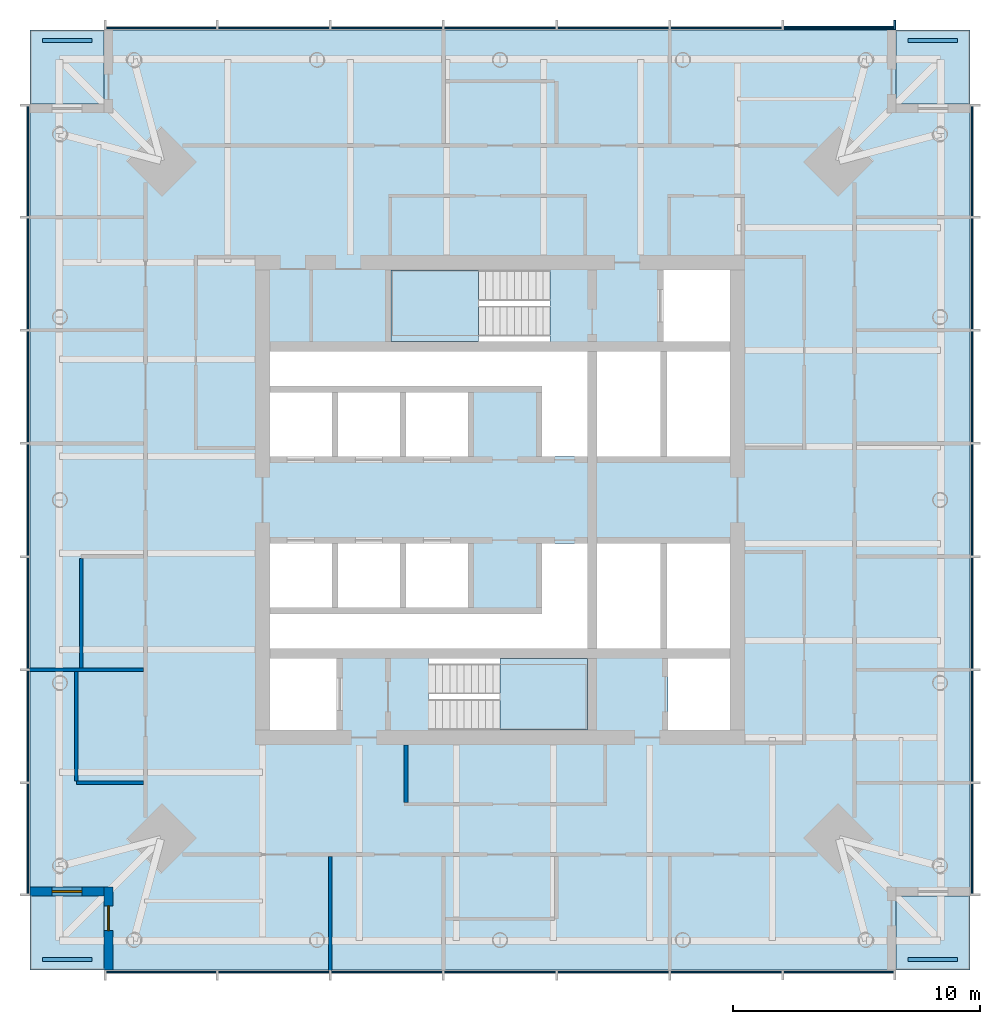
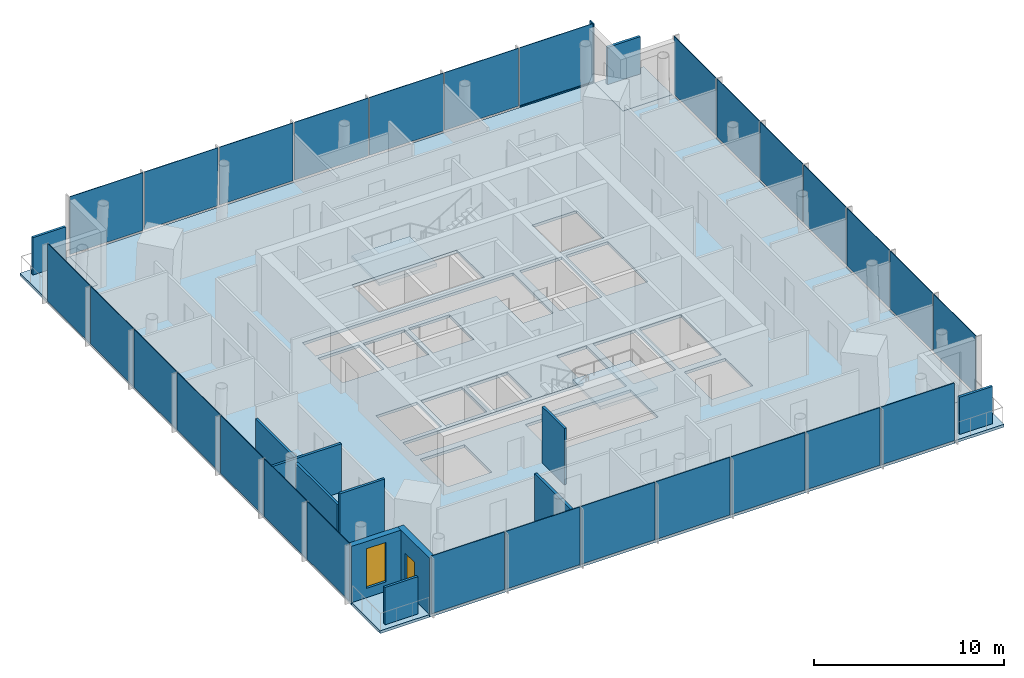
# One storey, part 3 of 7: 32 plates, 8 walls, 7 slabs, 2 members, 1 door, 1 window, 2 openings, 6 elements without a shape of their own.
"""IFC4 building model written with IfcOpenShell, lengths in metres."""

from ifc_helpers import new_model, si_unit, direction, frame, frame_2d, origin, origin_2d, place, context, subcontext, project, spatial, polyline, rectangle, outline, extrude, material, layer, layer_set, material_profile, profile_set, type_object, element, fill, aggregate, save


model = new_model("IFC4")

# Units and contexts
model_context = context("Model", 3, precision=1e-05, world=origin(), true_north=direction((0.0, 1.0)))
body_context = subcontext(model_context, "Body", "Model", "MODEL_VIEW")
ifc_project = project(units=[si_unit("LENGTHUNIT", "METRE"), si_unit("AREAUNIT", "SQUARE_METRE"), si_unit("VOLUMEUNIT", "CUBIC_METRE"), si_unit("PLANEANGLEUNIT", "RADIAN"), si_unit("MASSUNIT", "GRAM", prefix="KILO")], contexts=[model_context])

# Site, building, storey
site_placement = place(None, origin())
site = spatial("IfcSite", under=ifc_project, at=site_placement, CompositionType="ELEMENT")
building_placement = place(site_placement, origin())
building = spatial("IfcBuilding", under=site, at=building_placement, Name="Ostroluk Exchange", CompositionType="ELEMENT")
storey_placement = place(building_placement, frame((0.0, 0.0, 214.800048828125)))
storey = spatial("IfcBuildingStorey", under=building, at=storey_placement, Name="L55", CompositionType="ELEMENT", Elevation=214.800048828125)

# Curtain wall, members
ifc_material_1 = material(Name="Laminated clear glass", Category="glass")
curtain_wall_type = type_object("IfcCurtainWallType", Name="Office tower facade", PredefinedType="USERDEFINED", material=ifc_material_1)
curtain_wall_1_placement = place(storey_placement, origin())
curtain_wall_1 = element("IfcCurtainWall", 1, at=curtain_wall_1_placement, inside=storey, type_object=curtain_wall_type, Name="Office tower north facade L55", ObjectType="UNITISED CURTAIN WALL", PredefinedType="USERDEFINED")
ifc_material_2 = material(Name="Aluminium mullion", Category="aluminium")
ifc_material_profile_1 = material_profile(ifc_material_2, rectangle(XDim=0.14990234375, YDim=0.080078125, at=origin_2d()), Name="Sill transom 80 x 150")
ifc_profile_set_1 = profile_set([ifc_material_profile_1], Name="Aluminium mullion")
member_type_1 = type_object("IfcMemberType", Name="Sill transom 80 x 150", PredefinedType="USERDEFINED", material=ifc_profile_set_1)
member_1_placement = place(storey_placement, frame((60.919921875, 65.074951171875, 0.0400390625), z_axis=(-1.0, 0.0, 0.0), x_axis=(0.0, -1.0, 0.0)))
member_1 = element("IfcMember", 2, at=member_1_placement, type_object=member_type_1, Name="CW-O1 transom 1.1", ObjectType="TRANSOM", PredefinedType="USERDEFINED", context=body_context, shape_type="SweptSolid", body=[
    extrude(rectangle(XDim=0.14990234375, YDim=0.080078125, at=origin_2d()), origin(), (0.0, 0.0, 1.0), 4.451416015625),
])
ifc_material_3 = material(Name="Aluminium mullion with limestone facing", Category="masonry")
ifc_material_profile_2 = material_profile(ifc_material_3, rectangle(XDim=0.39990234375, YDim=0.080078125, at=origin_2d()), Name="Tracery mullion 80 x 400")
ifc_profile_set_2 = profile_set([ifc_material_profile_2], Name="Aluminium mullion with limestone facing")
member_type_2 = type_object("IfcMemberType", Name="Tracery mullion 80 x 400", PredefinedType="MULLION", material=ifc_profile_set_2)
member_2_placement = place(storey_placement, frame((60.9599609375, 65.199951171875, 0.0), z_axis=(0.0, 0.0, 1.0), x_axis=(0.0, -1.0, 0.0)))
member_2 = element("IfcMember", 3, at=member_2_placement, type_object=member_type_2, Name="CW-O1 mullion 1", PredefinedType="MULLION", context=body_context, shape_type="SweptSolid", body=[
    extrude(rectangle(XDim=0.39990234375, YDim=0.080078125, at=origin_2d()), origin(), (0.0, 0.0, 1.0), 3.800048828125),
])

# Slabs
ifc_material_4 = material(Name="Concrete C35/45", Category="concrete")
ifc_layer_1 = layer(ifc_material_4, 0.179931640625)
ifc_layer_set_1 = layer_set([ifc_layer_1], Name="Balcony slab 180")
slab_type_1 = type_object("IfcSlabType", Name="Balcony slab 180", PredefinedType="USERDEFINED", material=ifc_layer_set_1)
slab_1_placement = place(storey_placement, frame((0.0, 0.0, -0.179931640625)))
element("IfcSlab", 4, at=slab_1_placement, inside=storey, type_object=slab_type_1, Name="Office tower SE corner balcony L55", ObjectType="BALCONY", PredefinedType="USERDEFINED", context=body_context, shape_type="SweptSolid", body=[
    extrude(outline(polyline([(61.0, 27.0), (64.0, 27.0), (64.0, 30.0), (61.0, 30.0), (61.0, 27.0)])), origin(), (0.0, 0.0, 1.0), 0.179931640625),
])
slab_2_placement = place(storey_placement, frame((0.0, 0.0, -0.179931640625)))
element("IfcSlab", 5, at=slab_2_placement, inside=storey, type_object=slab_type_1, Name="Office tower NE corner balcony L55", ObjectType="BALCONY", PredefinedType="USERDEFINED", context=body_context, shape_type="SweptSolid", body=[
    extrude(outline(polyline([(61.0, 62.0), (64.0, 62.0), (64.0, 65.0), (61.0, 65.0), (61.0, 62.0)])), origin(), (0.0, 0.0, 1.0), 0.179931640625),
])
slab_3_placement = place(storey_placement, frame((0.0, 0.0, -0.179931640625)))
element("IfcSlab", 6, at=slab_3_placement, inside=storey, type_object=slab_type_1, Name="Office tower NW corner balcony L55", ObjectType="BALCONY", PredefinedType="USERDEFINED", context=body_context, shape_type="SweptSolid", body=[
    extrude(outline(polyline([(26.0, 62.0), (29.0, 62.0), (29.0, 65.0), (26.0, 65.0), (26.0, 62.0)])), origin(), (0.0, 0.0, 1.0), 0.179931640625),
])
slab_4_placement = place(storey_placement, frame((0.0, 0.0, -0.179931640625)))
element("IfcSlab", 7, at=slab_4_placement, inside=storey, type_object=slab_type_1, Name="Office tower SW corner balcony L55", ObjectType="BALCONY", PredefinedType="USERDEFINED", context=body_context, shape_type="SweptSolid", body=[
    extrude(outline(polyline([(26.0, 27.0), (29.0, 27.0), (29.0, 30.0), (26.0, 30.0), (26.0, 27.0)])), origin(), (0.0, 0.0, 1.0), 0.179931640625),
])

# Plates
ifc_material_5 = material(Name="Steel S355 trellis with planting", Category="steel")
ifc_layer_2 = layer(ifc_material_5, 0.14990234375)
ifc_layer_set_2 = layer_set([ifc_layer_2], Name="Planted screen 150")
plate_type_1 = type_object("IfcPlateType", Name="Planted screen 150", PredefinedType="USERDEFINED", material=ifc_layer_set_2)
for number, where, z_axis, x_axis, name in (
    (8, (62.5, 27.425048828125, 0.0), (0.0, 0.0, 1.0), (1.0, 0.0, 0.0), "Office tower SE planted screen L55"),
    (9, (62.5, 64.574951171875, 0.0), (0.0, 0.0, 1.0), (1.0, 0.0, 0.0), "Office tower NE planted screen L55"),
    (10, (27.5, 64.574951171875, 0.0), (0.0, 0.0, 1.0), (1.0, 0.0, 0.0), "Office tower NW planted screen L55"),
    (11, (27.5, 27.425048828125, 0.0), (0.0, 0.0, 1.0), (1.0, 0.0, 0.0), "Office tower SW planted screen L55"),
):
    element("IfcPlate", number, at=place(storey_placement, frame(where, z_axis=z_axis, x_axis=x_axis)), inside=storey, type_object=plate_type_1, Name=name, ObjectType="PLANTED SCREEN", PredefinedType="USERDEFINED", context=body_context, shape_type="SweptSolid", body=[
        extrude(rectangle(XDim=2.0, YDim=0.14990234375, at=origin_2d()), origin(), (0.0, 0.0, 1.0), 2.39990234375),
    ])

# Stair, slab
ifc_material_6 = material(Name="Concrete C30/37", Category="concrete")
stair_type = type_object("IfcStairType", Name="Exit stair half turn 3800", PredefinedType="HALF_TURN_STAIR", material=ifc_material_6)
stair_1_placement = place(storey_placement, origin())
stair_1 = element("IfcStair", 12, at=stair_1_placement, inside=storey, type_object=stair_type, Name="Stair T1-S1 L55", PredefinedType="HALF_TURN_STAIR")
ifc_material_7 = material(Name="Concrete C30/37", Category="concrete")
ifc_layer_3 = layer(ifc_material_7, 0.199951171875)
ifc_layer_set_3 = layer_set([ifc_layer_3], Name="Stair landing 200")
slab_type_2 = type_object("IfcSlabType", Name="Stair landing 200", PredefinedType="LANDING", material=ifc_layer_set_3)
slab_5_placement = place(storey_placement, frame((0.0, 0.0, 1.699951171875)))
slab_5 = element("IfcSlab", 13, at=slab_5_placement, type_object=slab_type_2, Name="T1-S1 landing 1", PredefinedType="LANDING", context=body_context, shape_type="SweptSolid", body=[
    extrude(outline(polyline([(45.0, 36.699951171875), (45.0, 39.60009765625), (48.530029296875, 39.60009765625), (48.530029296875, 36.699951171875), (45.0, 36.699951171875)])), origin(), (0.0, 0.0, 1.0), 0.199951171875),
])
aggregate(stair_1, [slab_5])

stair_2_placement = place(storey_placement, origin())
stair_2 = element("IfcStair", 14, at=stair_2_placement, inside=storey, type_object=stair_type, Name="Stair T1-S2 L55", PredefinedType="HALF_TURN_STAIR")
slab_6_placement = place(storey_placement, frame((0.0, 0.0, 1.699951171875)))
slab_6 = element("IfcSlab", 15, at=slab_6_placement, type_object=slab_type_2, Name="T1-S2 landing 1", PredefinedType="LANDING", context=body_context, shape_type="SweptSolid", body=[
    extrude(outline(polyline([(44.1298828125, 52.39990234375), (44.1298828125, 55.300048828125), (40.60009765625, 55.300048828125), (40.60009765625, 52.39990234375), (44.1298828125, 52.39990234375)])), origin(), (0.0, 0.0, 1.0), 0.199951171875),
])
aggregate(stair_2, [slab_6])

# Slab
ifc_material_8 = material(Name="Concrete C35/45", Category="concrete")
ifc_layer_4 = layer(ifc_material_8, 0.179931640625)
ifc_layer_set_4 = layer_set([ifc_layer_4], Name="Tower floor slab 180 composite")
slab_type_3 = type_object("IfcSlabType", Name="Tower floor slab 180 composite", PredefinedType="FLOOR", material=ifc_layer_set_4)
slab_7_placement = place(storey_placement, frame((0.0, 0.0, -0.179931640625)))
element("IfcSlab", 16, at=slab_7_placement, inside=storey, type_object=slab_type_3, Name="Office tower floor slab L55", PredefinedType="FLOOR", context=body_context, shape_type="SweptSolid", body=[
    extrude(outline(polyline([(29.0, 27.0), (61.0, 27.0), (61.0, 30.0), (64.0, 30.0), (64.0, 62.0), (61.0, 62.0), (61.0, 65.0), (29.0, 65.0), (29.0, 62.0), (26.0, 62.0), (26.0, 30.0), (29.0, 30.0), (29.0, 27.0)]), holes=[polyline([(35.699951171875, 36.699951171875), (38.39990234375, 36.699951171875), (38.39990234375, 39.60009765625), (35.699951171875, 39.60009765625), (35.699951171875, 36.699951171875)]), polyline([(42.110107421875, 36.699951171875), (48.530029296875, 36.699951171875), (48.530029296875, 39.60009765625), (42.110107421875, 39.60009765625), (42.110107421875, 36.699951171875)]), polyline([(51.800048828125, 36.699951171875), (54.300048828125, 36.699951171875), (54.300048828125, 39.60009765625), (51.800048828125, 39.60009765625), (51.800048828125, 36.699951171875)]), polyline([(40.60009765625, 52.39990234375), (47.02001953125, 52.39990234375), (47.02001953125, 55.300048828125), (40.60009765625, 55.300048828125), (40.60009765625, 52.39990234375)]), polyline([(51.60009765625, 52.39990234375), (54.300048828125, 52.39990234375), (54.300048828125, 55.300048828125), (51.60009765625, 55.300048828125), (51.60009765625, 52.39990234375)]), polyline([(35.699951171875, 47.75), (38.199951171875, 47.75), (38.199951171875, 50.35009765625), (35.699951171875, 50.35009765625), (35.699951171875, 47.75)]), polyline([(38.449951171875, 47.75), (40.949951171875, 47.75), (40.949951171875, 50.35009765625), (38.449951171875, 50.35009765625), (38.449951171875, 47.75)]), polyline([(41.199951171875, 47.75), (43.699951171875, 47.75), (43.699951171875, 50.35009765625), (41.199951171875, 50.35009765625), (41.199951171875, 47.75)]), polyline([(35.699951171875, 41.64990234375), (38.199951171875, 41.64990234375), (38.199951171875, 44.25), (35.699951171875, 44.25), (35.699951171875, 41.64990234375)]), polyline([(38.449951171875, 41.64990234375), (40.949951171875, 41.64990234375), (40.949951171875, 44.25), (38.449951171875, 44.25), (38.449951171875, 41.64990234375)]), polyline([(41.199951171875, 41.64990234375), (43.699951171875, 41.64990234375), (43.699951171875, 44.25), (41.199951171875, 44.25), (41.199951171875, 41.64990234375)]), polyline([(48.929931640625, 47.75), (51.489990234375, 47.75), (51.489990234375, 52.0), (48.929931640625, 52.0), (48.929931640625, 47.75)]), polyline([(51.739990234375, 47.75), (54.300048828125, 47.75), (54.300048828125, 52.0), (51.739990234375, 52.0), (51.739990234375, 47.75)]), polyline([(48.929931640625, 40.0), (51.489990234375, 40.0), (51.489990234375, 44.25), (48.929931640625, 44.25), (48.929931640625, 40.0)]), polyline([(51.739990234375, 40.0), (54.300048828125, 40.0), (54.300048828125, 44.25), (51.739990234375, 44.25), (51.739990234375, 40.0)]), polyline([(48.530029296875, 52.0), (48.530029296875, 47.75), (46.699951171875, 47.75), (46.699951171875, 50.60009765625), (35.699951171875, 50.60009765625), (35.699951171875, 52.0), (48.530029296875, 52.0)]), polyline([(35.699951171875, 40.0), (35.699951171875, 41.39990234375), (46.699951171875, 41.39990234375), (46.699951171875, 44.25), (48.530029296875, 44.25), (48.530029296875, 40.0), (35.699951171875, 40.0)])]), origin(), (0.0, 0.0, 1.0), 0.179931640625),
])

# Curtain wall, plates
curtain_wall_2_placement = place(storey_placement, origin())
curtain_wall_2 = element("IfcCurtainWall", 17, at=curtain_wall_2_placement, inside=storey, type_object=curtain_wall_type, Name="Office tower south facade L55", ObjectType="UNITISED CURTAIN WALL", PredefinedType="USERDEFINED")
ifc_material_9 = material(Name="Laminated clear glass", Category="glass")
ifc_layer_5 = layer(ifc_material_9, 0.0439453125)
ifc_layer_set_5 = layer_set([ifc_layer_5], Name="Triple laminated clear glazing 44")
plate_type_2 = type_object("IfcPlateType", Name="Triple laminated clear glazing 44", PredefinedType="CURTAIN_PANEL", material=ifc_layer_set_5)
plate_1_placement = place(storey_placement, frame((31.3056640625, 26.925048828125, 0.080078125), z_axis=(0.0, 0.0, 1.0), x_axis=(1.0, 0.0, 0.0)))
plate_1 = element("IfcPlate", 18, at=plate_1_placement, type_object=plate_type_2, Name="CW-O1 panel 1.1", PredefinedType="CURTAIN_PANEL", context=body_context, shape_type="SweptSolid", body=[
    extrude(rectangle(XDim=4.451416015625, YDim=0.0439453125, at=origin_2d()), origin(), (0.0, 0.0, 1.0), 3.719970703125),
])
plate_2_placement = place(storey_placement, frame((35.857177734375, 26.925048828125, 0.080078125), z_axis=(0.0, 0.0, 1.0), x_axis=(1.0, 0.0, 0.0)))
plate_2 = element("IfcPlate", 19, at=plate_2_placement, type_object=plate_type_2, Name="CW-O1 panel 2.1", PredefinedType="CURTAIN_PANEL", context=body_context, shape_type="SweptSolid", body=[
    extrude(rectangle(XDim=4.491455078125, YDim=0.0439453125, at=origin_2d()), origin(), (0.0, 0.0, 1.0), 3.719970703125),
])
plate_3_placement = place(storey_placement, frame((40.428466796875, 26.925048828125, 0.080078125), z_axis=(0.0, 0.0, 1.0), x_axis=(1.0, 0.0, 0.0)))
plate_3 = element("IfcPlate", 20, at=plate_3_placement, type_object=plate_type_2, Name="CW-O1 panel 3.1", PredefinedType="CURTAIN_PANEL", context=body_context, shape_type="SweptSolid", body=[
    extrude(rectangle(XDim=4.491455078125, YDim=0.0439453125, at=origin_2d()), origin(), (0.0, 0.0, 1.0), 3.719970703125),
])
plate_4_placement = place(storey_placement, frame((45.0, 26.925048828125, 0.080078125), z_axis=(0.0, 0.0, 1.0), x_axis=(1.0, 0.0, 0.0)))
plate_4 = element("IfcPlate", 21, at=plate_4_placement, type_object=plate_type_2, Name="CW-O1 panel 4.1", PredefinedType="CURTAIN_PANEL", context=body_context, shape_type="SweptSolid", body=[
    extrude(rectangle(XDim=4.491455078125, YDim=0.0439453125, at=origin_2d()), origin(), (0.0, 0.0, 1.0), 3.719970703125),
])
plate_5_placement = place(storey_placement, frame((49.571533203125, 26.925048828125, 0.080078125), z_axis=(0.0, 0.0, 1.0), x_axis=(1.0, 0.0, 0.0)))
plate_5 = element("IfcPlate", 22, at=plate_5_placement, type_object=plate_type_2, Name="CW-O1 panel 5.1", PredefinedType="CURTAIN_PANEL", context=body_context, shape_type="SweptSolid", body=[
    extrude(rectangle(XDim=4.491455078125, YDim=0.0439453125, at=origin_2d()), origin(), (0.0, 0.0, 1.0), 3.719970703125),
])
plate_6_placement = place(storey_placement, frame((54.142822265625, 26.925048828125, 0.080078125), z_axis=(0.0, 0.0, 1.0), x_axis=(1.0, 0.0, 0.0)))
plate_6 = element("IfcPlate", 23, at=plate_6_placement, type_object=plate_type_2, Name="CW-O1 panel 6.1", PredefinedType="CURTAIN_PANEL", context=body_context, shape_type="SweptSolid", body=[
    extrude(rectangle(XDim=4.491455078125, YDim=0.0439453125, at=origin_2d()), origin(), (0.0, 0.0, 1.0), 3.719970703125),
])
plate_7_placement = place(storey_placement, frame((58.6943359375, 26.925048828125, 0.080078125), z_axis=(0.0, 0.0, 1.0), x_axis=(1.0, 0.0, 0.0)))
plate_7 = element("IfcPlate", 24, at=plate_7_placement, type_object=plate_type_2, Name="CW-O1 panel 7.1", PredefinedType="CURTAIN_PANEL", context=body_context, shape_type="SweptSolid", body=[
    extrude(rectangle(XDim=4.451416015625, YDim=0.0439453125, at=origin_2d()), origin(), (0.0, 0.0, 1.0), 3.719970703125),
])
aggregate(curtain_wall_2, [plate_1, plate_2, plate_3, plate_4, plate_5, plate_6, plate_7])

curtain_wall_3_placement = place(storey_placement, origin())
curtain_wall_3 = element("IfcCurtainWall", 25, at=curtain_wall_3_placement, inside=storey, type_object=curtain_wall_type, Name="Office tower east facade L55", ObjectType="UNITISED CURTAIN WALL", PredefinedType="USERDEFINED")
plate_8_placement = place(storey_placement, frame((64.074951171875, 32.3056640625, 0.080078125), z_axis=(0.0, 0.0, 1.0), x_axis=(0.0, 1.0, 0.0)))
plate_8 = element("IfcPlate", 26, at=plate_8_placement, type_object=plate_type_2, Name="CW-O1 panel 1.1", PredefinedType="CURTAIN_PANEL", context=body_context, shape_type="SweptSolid", body=[
    extrude(rectangle(XDim=4.451416015625, YDim=0.0439453125, at=origin_2d()), origin(), (0.0, 0.0, 1.0), 3.719970703125),
])
plate_9_placement = place(storey_placement, frame((64.074951171875, 36.857177734375, 0.080078125), z_axis=(0.0, 0.0, 1.0), x_axis=(0.0, 1.0, 0.0)))
plate_9 = element("IfcPlate", 27, at=plate_9_placement, type_object=plate_type_2, Name="CW-O1 panel 2.1", PredefinedType="CURTAIN_PANEL", context=body_context, shape_type="SweptSolid", body=[
    extrude(rectangle(XDim=4.491455078125, YDim=0.0439453125, at=origin_2d()), origin(), (0.0, 0.0, 1.0), 3.719970703125),
])
plate_10_placement = place(storey_placement, frame((64.074951171875, 41.428466796875, 0.080078125), z_axis=(0.0, 0.0, 1.0), x_axis=(0.0, 1.0, 0.0)))
plate_10 = element("IfcPlate", 28, at=plate_10_placement, type_object=plate_type_2, Name="CW-O1 panel 3.1", PredefinedType="CURTAIN_PANEL", context=body_context, shape_type="SweptSolid", body=[
    extrude(rectangle(XDim=4.491455078125, YDim=0.0439453125, at=origin_2d()), origin(), (0.0, 0.0, 1.0), 3.719970703125),
])
plate_11_placement = place(storey_placement, frame((64.074951171875, 46.0, 0.080078125), z_axis=(0.0, 0.0, 1.0), x_axis=(0.0, 1.0, 0.0)))
plate_11 = element("IfcPlate", 29, at=plate_11_placement, type_object=plate_type_2, Name="CW-O1 panel 4.1", PredefinedType="CURTAIN_PANEL", context=body_context, shape_type="SweptSolid", body=[
    extrude(rectangle(XDim=4.491455078125, YDim=0.0439453125, at=origin_2d()), origin(), (0.0, 0.0, 1.0), 3.719970703125),
])
plate_12_placement = place(storey_placement, frame((64.074951171875, 50.571533203125, 0.080078125), z_axis=(0.0, 0.0, 1.0), x_axis=(0.0, 1.0, 0.0)))
plate_12 = element("IfcPlate", 30, at=plate_12_placement, type_object=plate_type_2, Name="CW-O1 panel 5.1", PredefinedType="CURTAIN_PANEL", context=body_context, shape_type="SweptSolid", body=[
    extrude(rectangle(XDim=4.491455078125, YDim=0.0439453125, at=origin_2d()), origin(), (0.0, 0.0, 1.0), 3.719970703125),
])
plate_13_placement = place(storey_placement, frame((64.074951171875, 55.142822265625, 0.080078125), z_axis=(0.0, 0.0, 1.0), x_axis=(0.0, 1.0, 0.0)))
plate_13 = element("IfcPlate", 31, at=plate_13_placement, type_object=plate_type_2, Name="CW-O1 panel 6.1", PredefinedType="CURTAIN_PANEL", context=body_context, shape_type="SweptSolid", body=[
    extrude(rectangle(XDim=4.491455078125, YDim=0.0439453125, at=origin_2d()), origin(), (0.0, 0.0, 1.0), 3.719970703125),
])
plate_14_placement = place(storey_placement, frame((64.074951171875, 59.6943359375, 0.080078125), z_axis=(0.0, 0.0, 1.0), x_axis=(0.0, 1.0, 0.0)))
plate_14 = element("IfcPlate", 32, at=plate_14_placement, type_object=plate_type_2, Name="CW-O1 panel 7.1", PredefinedType="CURTAIN_PANEL", context=body_context, shape_type="SweptSolid", body=[
    extrude(rectangle(XDim=4.451416015625, YDim=0.0439453125, at=origin_2d()), origin(), (0.0, 0.0, 1.0), 3.719970703125),
])
aggregate(curtain_wall_3, [plate_8, plate_9, plate_10, plate_11, plate_12, plate_13, plate_14])

# Plate
plate_15_placement = place(storey_placement, frame((58.6943359375, 65.074951171875, 0.080078125), z_axis=(0.0, 0.0, 1.0), x_axis=(-1.0, 0.0, 0.0)))
plate_15 = element("IfcPlate", 33, at=plate_15_placement, type_object=plate_type_2, Name="CW-O1 panel 1.1", PredefinedType="CURTAIN_PANEL", context=body_context, shape_type="SweptSolid", body=[
    extrude(rectangle(XDim=4.451416015625, YDim=0.0439453125, at=origin_2d()), origin(), (0.0, 0.0, 1.0), 3.719970703125),
])

plate_16_placement = place(storey_placement, frame((54.142822265625, 65.074951171875, 0.080078125), z_axis=(0.0, 0.0, 1.0), x_axis=(-1.0, 0.0, 0.0)))
plate_16 = element("IfcPlate", 34, at=plate_16_placement, type_object=plate_type_2, Name="CW-O1 panel 2.1", PredefinedType="CURTAIN_PANEL", context=body_context, shape_type="SweptSolid", body=[
    extrude(rectangle(XDim=4.491455078125, YDim=0.0439453125, at=origin_2d()), origin(), (0.0, 0.0, 1.0), 3.719970703125),
])

plate_17_placement = place(storey_placement, frame((49.571533203125, 65.074951171875, 0.080078125), z_axis=(0.0, 0.0, 1.0), x_axis=(-1.0, 0.0, 0.0)))
plate_17 = element("IfcPlate", 35, at=plate_17_placement, type_object=plate_type_2, Name="CW-O1 panel 3.1", PredefinedType="CURTAIN_PANEL", context=body_context, shape_type="SweptSolid", body=[
    extrude(rectangle(XDim=4.491455078125, YDim=0.0439453125, at=origin_2d()), origin(), (0.0, 0.0, 1.0), 3.719970703125),
])

plate_18_placement = place(storey_placement, frame((45.0, 65.074951171875, 0.080078125), z_axis=(0.0, 0.0, 1.0), x_axis=(-1.0, 0.0, 0.0)))
plate_18 = element("IfcPlate", 36, at=plate_18_placement, type_object=plate_type_2, Name="CW-O1 panel 4.1", PredefinedType="CURTAIN_PANEL", context=body_context, shape_type="SweptSolid", body=[
    extrude(rectangle(XDim=4.491455078125, YDim=0.0439453125, at=origin_2d()), origin(), (0.0, 0.0, 1.0), 3.719970703125),
])

plate_19_placement = place(storey_placement, frame((40.428466796875, 65.074951171875, 0.080078125), z_axis=(0.0, 0.0, 1.0), x_axis=(-1.0, 0.0, 0.0)))
plate_19 = element("IfcPlate", 37, at=plate_19_placement, type_object=plate_type_2, Name="CW-O1 panel 5.1", PredefinedType="CURTAIN_PANEL", context=body_context, shape_type="SweptSolid", body=[
    extrude(rectangle(XDim=4.491455078125, YDim=0.0439453125, at=origin_2d()), origin(), (0.0, 0.0, 1.0), 3.719970703125),
])

plate_20_placement = place(storey_placement, frame((35.857177734375, 65.074951171875, 0.080078125), z_axis=(0.0, 0.0, 1.0), x_axis=(-1.0, 0.0, 0.0)))
plate_20 = element("IfcPlate", 38, at=plate_20_placement, type_object=plate_type_2, Name="CW-O1 panel 6.1", PredefinedType="CURTAIN_PANEL", context=body_context, shape_type="SweptSolid", body=[
    extrude(rectangle(XDim=4.491455078125, YDim=0.0439453125, at=origin_2d()), origin(), (0.0, 0.0, 1.0), 3.719970703125),
])

plate_21_placement = place(storey_placement, frame((31.3056640625, 65.074951171875, 0.080078125), z_axis=(0.0, 0.0, 1.0), x_axis=(-1.0, 0.0, 0.0)))
plate_21 = element("IfcPlate", 39, at=plate_21_placement, type_object=plate_type_2, Name="CW-O1 panel 7.1", PredefinedType="CURTAIN_PANEL", context=body_context, shape_type="SweptSolid", body=[
    extrude(rectangle(XDim=4.451416015625, YDim=0.0439453125, at=origin_2d()), origin(), (0.0, 0.0, 1.0), 3.719970703125),
])

aggregate(curtain_wall_1, [member_2, member_1, plate_15, plate_16, plate_17, plate_18, plate_19, plate_20, plate_21])

# Curtain wall, plates
curtain_wall_4_placement = place(storey_placement, origin())
curtain_wall_4 = element("IfcCurtainWall", 40, at=curtain_wall_4_placement, inside=storey, type_object=curtain_wall_type, Name="Office tower west facade L55", ObjectType="UNITISED CURTAIN WALL", PredefinedType="USERDEFINED")
plate_22_placement = place(storey_placement, frame((25.925048828125, 59.6943359375, 0.080078125), z_axis=(0.0, 0.0, 1.0), x_axis=(0.0, -1.0, 0.0)))
plate_22 = element("IfcPlate", 41, at=plate_22_placement, type_object=plate_type_2, Name="CW-O1 panel 1.1", PredefinedType="CURTAIN_PANEL", context=body_context, shape_type="SweptSolid", body=[
    extrude(rectangle(XDim=4.451416015625, YDim=0.0439453125, at=origin_2d()), origin(), (0.0, 0.0, 1.0), 3.719970703125),
])
plate_23_placement = place(storey_placement, frame((25.925048828125, 55.142822265625, 0.080078125), z_axis=(0.0, 0.0, 1.0), x_axis=(0.0, -1.0, 0.0)))
plate_23 = element("IfcPlate", 42, at=plate_23_placement, type_object=plate_type_2, Name="CW-O1 panel 2.1", PredefinedType="CURTAIN_PANEL", context=body_context, shape_type="SweptSolid", body=[
    extrude(rectangle(XDim=4.491455078125, YDim=0.0439453125, at=origin_2d()), origin(), (0.0, 0.0, 1.0), 3.719970703125),
])
plate_24_placement = place(storey_placement, frame((25.925048828125, 50.571533203125, 0.080078125), z_axis=(0.0, 0.0, 1.0), x_axis=(0.0, -1.0, 0.0)))
plate_24 = element("IfcPlate", 43, at=plate_24_placement, type_object=plate_type_2, Name="CW-O1 panel 3.1", PredefinedType="CURTAIN_PANEL", context=body_context, shape_type="SweptSolid", body=[
    extrude(rectangle(XDim=4.491455078125, YDim=0.0439453125, at=origin_2d()), origin(), (0.0, 0.0, 1.0), 3.719970703125),
])
plate_25_placement = place(storey_placement, frame((25.925048828125, 46.0, 0.080078125), z_axis=(0.0, 0.0, 1.0), x_axis=(0.0, -1.0, 0.0)))
plate_25 = element("IfcPlate", 44, at=plate_25_placement, type_object=plate_type_2, Name="CW-O1 panel 4.1", PredefinedType="CURTAIN_PANEL", context=body_context, shape_type="SweptSolid", body=[
    extrude(rectangle(XDim=4.491455078125, YDim=0.0439453125, at=origin_2d()), origin(), (0.0, 0.0, 1.0), 3.719970703125),
])
plate_26_placement = place(storey_placement, frame((25.925048828125, 41.428466796875, 0.080078125), z_axis=(0.0, 0.0, 1.0), x_axis=(0.0, -1.0, 0.0)))
plate_26 = element("IfcPlate", 45, at=plate_26_placement, type_object=plate_type_2, Name="CW-O1 panel 5.1", PredefinedType="CURTAIN_PANEL", context=body_context, shape_type="SweptSolid", body=[
    extrude(rectangle(XDim=4.491455078125, YDim=0.0439453125, at=origin_2d()), origin(), (0.0, 0.0, 1.0), 3.719970703125),
])
plate_27_placement = place(storey_placement, frame((25.925048828125, 36.857177734375, 0.080078125), z_axis=(0.0, 0.0, 1.0), x_axis=(0.0, -1.0, 0.0)))
plate_27 = element("IfcPlate", 46, at=plate_27_placement, type_object=plate_type_2, Name="CW-O1 panel 6.1", PredefinedType="CURTAIN_PANEL", context=body_context, shape_type="SweptSolid", body=[
    extrude(rectangle(XDim=4.491455078125, YDim=0.0439453125, at=origin_2d()), origin(), (0.0, 0.0, 1.0), 3.719970703125),
])
plate_28_placement = place(storey_placement, frame((25.925048828125, 32.3056640625, 0.080078125), z_axis=(0.0, 0.0, 1.0), x_axis=(0.0, -1.0, 0.0)))
plate_28 = element("IfcPlate", 47, at=plate_28_placement, type_object=plate_type_2, Name="CW-O1 panel 7.1", PredefinedType="CURTAIN_PANEL", context=body_context, shape_type="SweptSolid", body=[
    extrude(rectangle(XDim=4.451416015625, YDim=0.0439453125, at=origin_2d()), origin(), (0.0, 0.0, 1.0), 3.719970703125),
])
aggregate(curtain_wall_4, [plate_22, plate_23, plate_24, plate_25, plate_26, plate_27, plate_28])

# Wall, opening, door
ifc_material_10 = material(Name="Limestone", Category="masonry")
ifc_layer_6 = layer(ifc_material_10, 0.35009765625)
ifc_layer_set_6 = layer_set([ifc_layer_6], Name="Limestone facade wall 350")
wall_type_1 = type_object("IfcWallType", Name="Limestone facade wall 350", PredefinedType="SOLIDWALL", material=ifc_layer_set_6)
wall_1_placement = place(storey_placement, frame((29.175048828125, 27.0, 0.0), z_axis=(0.0, 0.0, 1.0), x_axis=(0.0, 1.0, 0.0)))
wall_1 = element("IfcWall", 48, at=wall_1_placement, inside=storey, type_object=wall_type_1, Name="Office tower SW corner wall L55 a", PredefinedType="SOLIDWALL", context=body_context, shape_type="SweptSolid", body=[
    extrude(rectangle(XDim=3.35009765625, YDim=0.35009765625, at=frame_2d((1.675048828125, 0.0))), origin(), (0.0, 0.0, 1.0), 3.619873046875),
])
opening_1_placement = place(wall_1_placement, frame((1.60009765625, 0.0, 0.0)))
opening_1 = element("IfcOpeningElement", 49, at=opening_1_placement, cuts=wall_1, Name="Opening D-B1", PredefinedType="OPENING", context=body_context, shape_type="SweptSolid", body=[
    extrude(rectangle(XDim=1.0, YDim=2.39990234375, at=frame_2d((0.5, 1.199951171875))), frame((0.0, 0.18505859375, 0.0), z_axis=(0.0, -1.0, 0.0), x_axis=(1.0, 0.0, 0.0)), (0.0, 0.0, 1.0), 0.3701171875),
])
ifc_material_11 = material(Name="Bronze framed glazed door", Category="aluminium")
door_type = type_object("IfcDoorType", Name="Balcony door 1000 x 2400", OperationType="SINGLE_SWING_LEFT", PredefinedType="DOOR", material=ifc_material_11)
door_placement = place(opening_1_placement, origin())
door = element("IfcDoor", 50, at=door_placement, inside=storey, type_object=door_type, Name="Office tower SW balcony door L55", OperationType="SINGLE_SWING_RIGHT", OverallHeight=2.39990234375, OverallWidth=1.0, PredefinedType="DOOR", context=body_context, shape_type="SweptSolid", body=[
    extrude(rectangle(XDim=1.0, YDim=2.39990234375, at=frame_2d((0.5, 1.199951171875))), frame((0.0, 0.02490234375, 0.0), z_axis=(0.0, -1.0, 0.0), x_axis=(1.0, 0.0, 0.0)), (0.0, 0.0, 1.0), 0.050048828125),
])
fill(opening_1, door)

# Wall, opening, window
wall_2_placement = place(storey_placement, frame((29.0, 30.175048828125, 0.0), z_axis=(0.0, 0.0, 1.0), x_axis=(-1.0, 0.0, 0.0)))
wall_2 = element("IfcWall", 51, at=wall_2_placement, inside=storey, type_object=wall_type_1, Name="Office tower SW corner wall L55 b", PredefinedType="SOLIDWALL", context=body_context, shape_type="SweptSolid", body=[
    extrude(rectangle(XDim=3.0, YDim=0.35009765625, at=frame_2d((1.5, 0.0))), origin(), (0.0, 0.0, 1.0), 3.619873046875),
])
opening_2_placement = place(wall_2_placement, frame((0.89990234375, 0.0, 0.60009765625)))
opening_2 = element("IfcOpeningElement", 52, at=opening_2_placement, cuts=wall_2, Name="Opening WN-L1", PredefinedType="OPENING", context=body_context, shape_type="SweptSolid", body=[
    extrude(rectangle(XDim=1.199951171875, YDim=2.550048828125, at=frame_2d((0.60009765625, 1.27490234375))), frame((0.0, 0.18505859375, 0.0), z_axis=(0.0, -1.0, 0.0), x_axis=(1.0, 0.0, 0.0)), (0.0, 0.0, 1.0), 0.3701171875),
])
ifc_material_12 = material(Name="Laminated clear glass", Category="glass")
window_type = type_object("IfcWindowType", Name="Lancet window 1200 x 2550", PartitioningType="SINGLE_PANEL", PredefinedType="WINDOW", material=ifc_material_12)
window_placement = place(opening_2_placement, origin())
window = element("IfcWindow", 53, at=window_placement, inside=storey, type_object=window_type, Name="Office tower SW lancet window L55", OverallHeight=2.550048828125, OverallWidth=1.199951171875, PartitioningType="SINGLE_PANEL", PredefinedType="WINDOW", context=body_context, shape_type="SweptSolid", body=[
    extrude(rectangle(XDim=1.199951171875, YDim=2.550048828125, at=frame_2d((0.60009765625, 1.27490234375))), frame((0.0, 0.030029296875, 0.0), z_axis=(0.0, -1.0, 0.0), x_axis=(1.0, 0.0, 0.0)), (0.0, 0.0, 1.0), 0.06005859375),
])
fill(opening_2, window)

# Walls
ifc_material_13 = material(Name="Gypsum plasterboard partition", Category="gypsum")
ifc_layer_7 = layer(ifc_material_13, 0.14990234375)
ifc_layer_set_7 = layer_set([ifc_layer_7], Name="Plasterboard partition 150")
wall_type_2 = type_object("IfcWallType", Name="Plasterboard partition 150", PredefinedType="PARTITIONING", material=ifc_layer_set_7)
wall_3_placement = place(storey_placement, frame((41.199951171875, 36.10009765625, 0.0), z_axis=(0.0, 0.0, 1.0), x_axis=(0.0, -1.0, 0.0)))
element("IfcWall", 54, at=wall_3_placement, inside=storey, type_object=wall_type_2, Name="Partition", PredefinedType="PARTITIONING", context=body_context, shape_type="SweptSolid", body=[
    extrude(rectangle(XDim=2.3251953125, YDim=0.14990234375, at=frame_2d((1.16259765625, 0.0))), origin(), (0.0, 0.0, 1.0), 3.619873046875),
])
wall_4_placement = place(storey_placement, frame((30.60009765625, 39.142822265625, 0.0), z_axis=(0.0, 0.0, 1.0), x_axis=(-1.0, 0.0, 0.0)))
element("IfcWall", 55, at=wall_4_placement, inside=storey, type_object=wall_type_2, Name="Partition", PredefinedType="PARTITIONING", context=body_context, shape_type="SweptSolid", body=[
    extrude(rectangle(XDim=4.64013671875, YDim=0.14990234375, at=frame_2d((2.320068359375, 0.0))), origin(), (0.0, 0.0, 1.0), 3.119873046875),
])
wall_5_placement = place(storey_placement, frame((30.60009765625, 34.571533203125, 0.0), z_axis=(0.0, 0.0, 1.0), x_axis=(-1.0, 0.0, 0.0)))
element("IfcWall", 56, at=wall_5_placement, inside=storey, type_object=wall_type_2, Name="Partition", PredefinedType="PARTITIONING", context=body_context, shape_type="SweptSolid", body=[
    extrude(rectangle(XDim=2.72509765625, YDim=0.14990234375, at=frame_2d((1.362548828125, 0.0))), origin(), (0.0, 0.0, 1.0), 3.619873046875),
])
wall_6_placement = place(storey_placement, frame((38.142822265625, 31.60009765625, 0.0), z_axis=(0.0, 0.0, 1.0), x_axis=(0.0, -1.0, 0.0)))
element("IfcWall", 57, at=wall_6_placement, inside=storey, type_object=wall_type_2, Name="Partition", PredefinedType="PARTITIONING", context=body_context, shape_type="SweptSolid", body=[
    extrude(rectangle(XDim=4.64013671875, YDim=0.14990234375, at=frame_2d((2.320068359375, 0.0))), origin(), (0.0, 0.0, 1.0), 3.119873046875),
])
ifc_material_14 = material(Name="Gypsum plasterboard partition, moisture resistant", Category="gypsum")
ifc_layer_8 = layer(ifc_material_14, 0.14990234375)
ifc_layer_set_8 = layer_set([ifc_layer_8], Name="Plasterboard toilet partition 150")
wall_type_3 = type_object("IfcWallType", Name="Plasterboard toilet partition 150", PredefinedType="PARTITIONING", material=ifc_layer_set_8)
wall_7_placement = place(storey_placement, frame((28.074951171875, 43.639404296875, 0.0), z_axis=(0.0, 0.0, 1.0), x_axis=(0.0, -1.0, 0.0)))
element("IfcWall", 58, at=wall_7_placement, inside=storey, type_object=wall_type_3, Name="Toilet partition", PredefinedType="PARTITIONING", context=body_context, shape_type="SweptSolid", body=[
    extrude(rectangle(XDim=4.421630859375, YDim=0.14990234375, at=frame_2d((2.2109375, 0.0))), origin(), (0.0, 0.0, 1.0), 2.866943359375),
])
wall_8_placement = place(storey_placement, frame((27.875, 39.06787109375, 0.0), z_axis=(0.0, 0.0, 1.0), x_axis=(0.0, -1.0, 0.0)))
element("IfcWall", 59, at=wall_8_placement, inside=storey, type_object=wall_type_3, Name="Toilet partition", PredefinedType="PARTITIONING", context=body_context, shape_type="SweptSolid", body=[
    extrude(rectangle(XDim=4.42138671875, YDim=0.14990234375, at=frame_2d((2.210693359375, 0.0))), origin(), (0.0, 0.0, 1.0), 2.866943359375),
])

save(model, "model.ifc")
